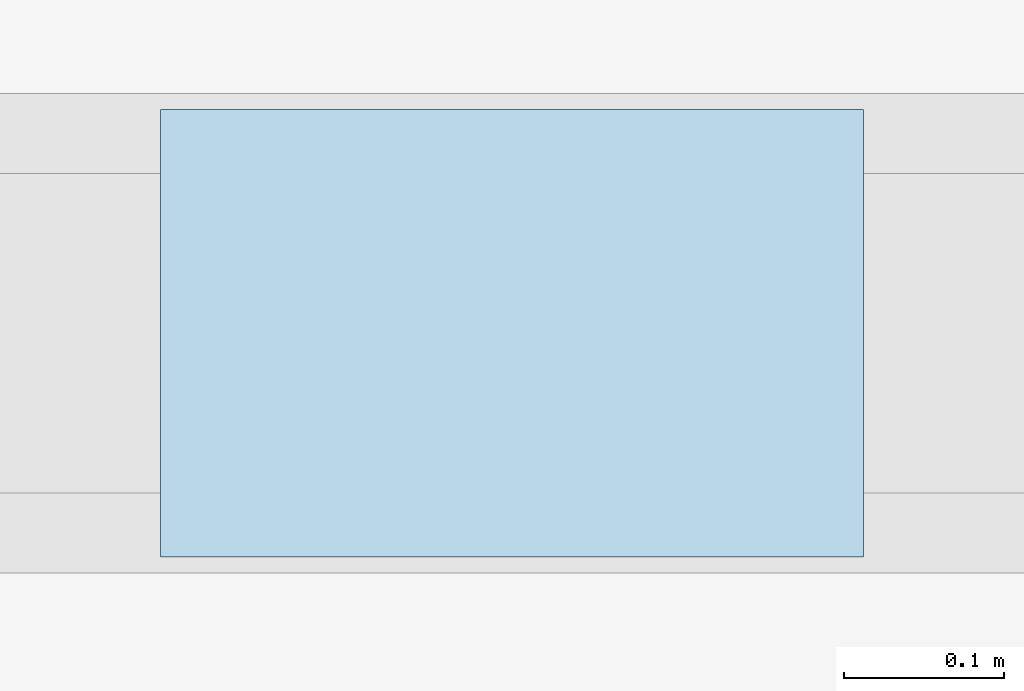
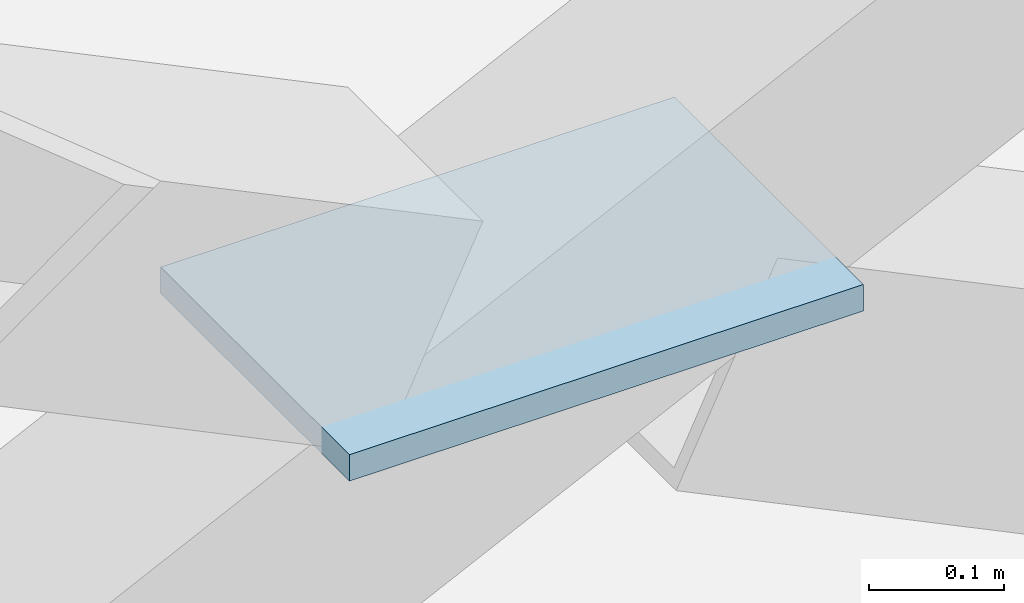
# One storey, part 67 of 98: 1 plate.
"""IFC4 building model written with IfcOpenShell, lengths in metres."""

from ifc_helpers import new_model, si_unit, direction, frame, origin, origin_2d, place, context, subcontext, project, spatial, rectangle, extrude, material, layer, layer_set, type_object, element, save


model = new_model("IFC4")

# Units and contexts
model_context = context("Model", 3, precision=1e-05, world=origin(), true_north=direction((0.0, 1.0)))
body_context = subcontext(model_context, "Body", "Model", "MODEL_VIEW")
ifc_project = project(units=[si_unit("LENGTHUNIT", "METRE"), si_unit("AREAUNIT", "SQUARE_METRE"), si_unit("VOLUMEUNIT", "CUBIC_METRE"), si_unit("PLANEANGLEUNIT", "RADIAN"), si_unit("MASSUNIT", "GRAM", prefix="KILO")], contexts=[model_context])

# Site, building, storey
site_placement = place(None, origin())
site = spatial("IfcSite", under=ifc_project, at=site_placement, CompositionType="ELEMENT")
building_placement = place(site_placement, origin())
building = spatial("IfcBuilding", under=site, at=building_placement, Name="Nabrawat Pavilion Hospital", CompositionType="ELEMENT")
storey_placement = place(building_placement, frame((0.0, 0.0, 10.199951171875)))
storey = spatial("IfcBuildingStorey", under=building, at=storey_placement, Name="L02", CompositionType="ELEMENT", Elevation=10.199951171875)

# Plate
ifc_material = material(Name="Steel S355", Category="steel")
ifc_layer = layer(ifc_material, 0.02392578125, Name="Steel S355")
ifc_layer_set = layer_set([ifc_layer], Name="Steel S355")
plate_type = type_object("IfcPlateType", Name="X-Brace Crossing Gusset Plate 440x280x24", PredefinedType="USERDEFINED", material=ifc_layer_set)
plate_placement = place(storey_placement, frame((113.39990234375, 101.39990234375, 2.06298828125), z_axis=(0.0, 0.0, 1.0), x_axis=(1.0, 0.0, 0.0)))
element("IfcPlate", 1, at=plate_placement, inside=storey, type_object=plate_type, Name="L02 Split X-Brace Crossing Gusset Plate 08", ObjectType="GUSSET PLATE", PredefinedType="USERDEFINED", context=body_context, shape_type="SweptSolid", body=[
    extrude(rectangle(XDim=0.43994140625, YDim=0.280029296875, at=origin_2d()), origin(), (0.0, 0.0, 1.0), 0.02392578125),
])

save(model, "model.ifc")
